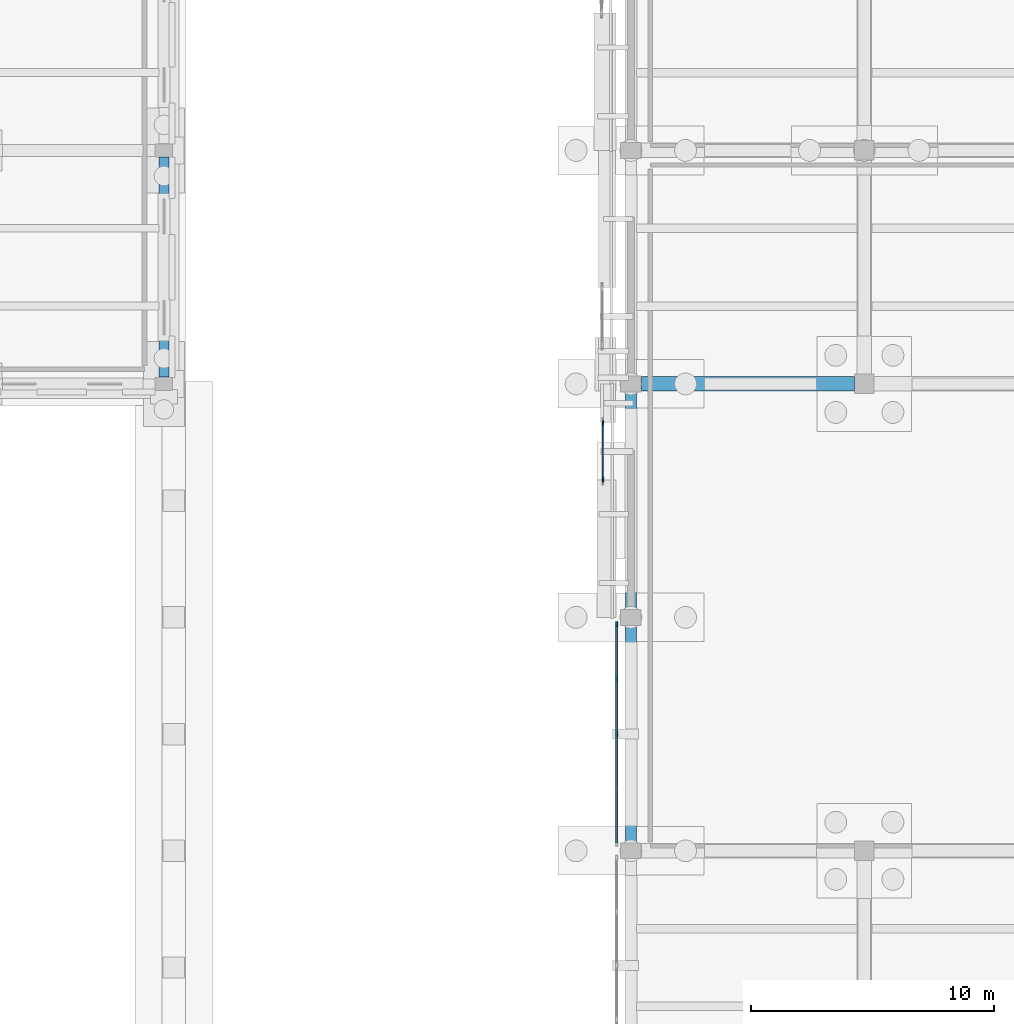
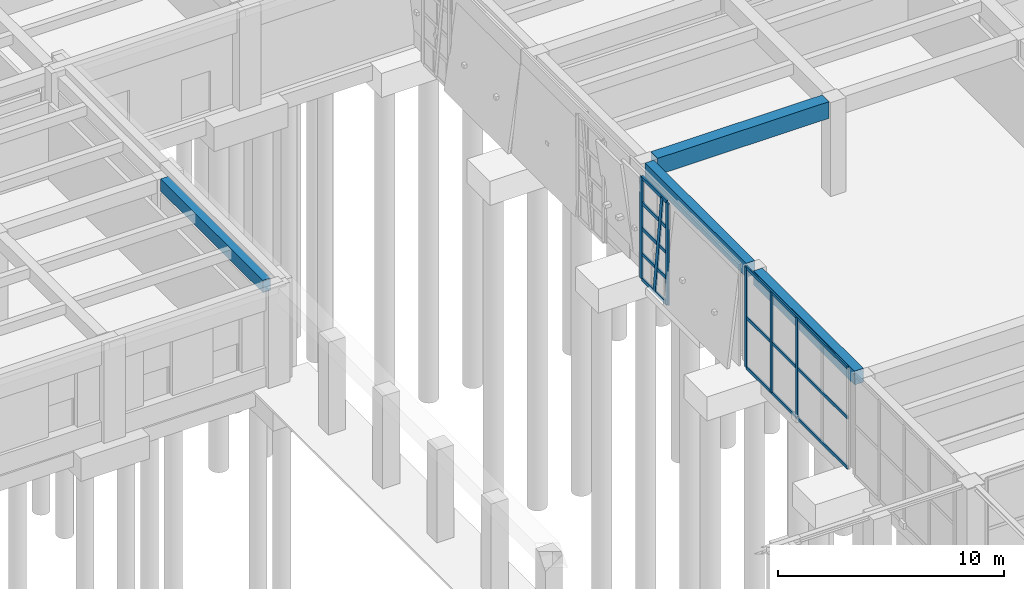
# One storey, part 14 of 51: 14 members, 4 beams, 2 elements without a shape of their own.
"""IFC4 building model written with IfcOpenShell, lengths in metres."""

from ifc_helpers import new_model, si_unit, direction, frame, origin, origin_2d, place, context, subcontext, project, spatial, rectangle, extrude, material, layer, layer_set, material_profile, profile_set, type_object, element, aggregate, save


model = new_model("IFC4")

# Units and contexts
model_context = context("Model", 3, precision=1e-05, world=origin(), true_north=direction((0.0, 1.0)))
body_context = subcontext(model_context, "Body", "Model", "MODEL_VIEW")
ifc_project = project(units=[si_unit("LENGTHUNIT", "METRE"), si_unit("AREAUNIT", "SQUARE_METRE"), si_unit("VOLUMEUNIT", "CUBIC_METRE"), si_unit("PLANEANGLEUNIT", "RADIAN"), si_unit("MASSUNIT", "GRAM", prefix="KILO")], contexts=[model_context])

# Site, building, storey
site_placement = place(None, origin())
site = spatial("IfcSite", under=ifc_project, at=site_placement, CompositionType="ELEMENT")
building_placement = place(site_placement, origin())
building = spatial("IfcBuilding", under=site, at=building_placement, Name="Bempovik Park Faculty of Sciences", CompositionType="ELEMENT")
storey_placement = place(building_placement, origin())
storey = spatial("IfcBuildingStorey", under=building, at=storey_placement, Name="L00", CompositionType="ELEMENT", Elevation=0.0)

# Beams
ifc_material_1 = material(Name="Concrete C35/45", Category="concrete")
ifc_material_profile_1 = material_profile(ifc_material_1, rectangle(XDim=0.39990234375, YDim=0.659912109375, at=origin_2d()), Name="RC 400x660")
ifc_profile_set_1 = profile_set([ifc_material_profile_1], Name="Concrete C35/45")
beam_type_1 = type_object("IfcBeamType", Name="B-097 RC 400x660", PredefinedType="SPANDREL", material=ifc_profile_set_1)
beam_1_placement = place(storey_placement, frame((40.800048828125, 48.8759765625, 4.75), z_axis=(0.0, 1.0, 0.0), x_axis=(-1.0, 0.0, 0.0)))
element("IfcBeam", 1, at=beam_1_placement, inside=storey, type_object=beam_type_1, Name="L00 Beam Y (x=40.8, 48.6-58.2)", PredefinedType="SPANDREL", context=body_context, shape_type="SweptSolid", body=[
    extrude(rectangle(XDim=0.39990234375, YDim=0.659912109375, at=origin_2d()), origin(), (0.0, 0.0, 1.0), 9.048095703125),
])
ifc_material_2 = material(Name="Concrete C40/50", Category="concrete")
ifc_material_profile_2 = material_profile(ifc_material_2, rectangle(XDim=0.60009765625, YDim=0.89990234375, at=origin_2d()), Name="RC 600x900")
ifc_profile_set_2 = profile_set([ifc_material_profile_2], Name="Concrete C40/50")
beam_type_2 = type_object("IfcBeamType", Name="B-115 RC 600x900", PredefinedType="BEAM", material=ifc_profile_set_2)
beam_2_placement = place(storey_placement, frame((60.430908203125, 48.60009765625, 4.6298828125), z_axis=(1.0, 0.0, 0.0), x_axis=(0.0, 1.0, 0.0)))
element("IfcBeam", 2, at=beam_2_placement, inside=storey, type_object=beam_type_2, Name="L00 Beam X (60.0-69.6, y=48.6)", PredefinedType="BEAM", context=body_context, shape_type="SweptSolid", body=[
    extrude(rectangle(XDim=0.60009765625, YDim=0.89990234375, at=origin_2d()), origin(), (0.0, 0.0, 1.0), 8.76318359375),
])
ifc_material_profile_3 = material_profile(ifc_material_2, rectangle(XDim=0.449951171875, YDim=0.75, at=origin_2d()), Name="RC 450x750")
ifc_profile_set_3 = profile_set([ifc_material_profile_3], Name="Concrete C40/50")
beam_type_3 = type_object("IfcBeamType", Name="B-130 RC 450x750", PredefinedType="SPANDREL", material=ifc_profile_set_3)
for number, where, z_axis, x_axis, name in (
    (3, (60.0, 29.73095703125, 4.705078125), (0.0, 1.0, 0.0), (-1.0, 0.0, 0.0), "L00 Beam Y (x=60.0, 29.4-39.0)"),
    (4, (60.0, 39.3310546875, 4.705078125), (0.0, 1.0, 0.0), (-1.0, 0.0, 0.0), "L00 Beam Y (x=60.0, 39.0-48.6)"),
):
    element("IfcBeam", number, at=place(storey_placement, frame(where, z_axis=z_axis, x_axis=x_axis)), inside=storey, type_object=beam_type_3, Name=name, PredefinedType="SPANDREL", context=body_context, shape_type="SweptSolid", body=[
        extrude(rectangle(XDim=0.449951171875, YDim=0.75, at=origin_2d()), origin(), (0.0, 0.0, 1.0), 8.93798828125),
    ])

# Curtain wall, members
ifc_material_3 = material(Name="Tempered laminated low-E glass", Category="glass")
ifc_layer_1 = layer(ifc_material_3, 0.159912109375)
ifc_layer_set_1 = layer_set([ifc_layer_1], Name="Tempered laminated low-E glass")
curtain_wall_type_1 = type_object("IfcCurtainWallType", Name="CW-57 Curtain 7200x5100", PredefinedType="USERDEFINED", material=ifc_layer_set_1)
curtain_wall_1_placement = place(storey_placement, origin())
curtain_wall_1 = element("IfcCurtainWall", 5, at=curtain_wall_1_placement, inside=storey, type_object=curtain_wall_type_1, Name="L00 Recessed Entrance Foyer Curtain Wall (29.4-39.0)", ObjectType="UNITISED CURTAIN WALL", PredefinedType="USERDEFINED")
ifc_material_4 = material(Name="Anodised architectural bronze", Category="aluminium")
ifc_material_profile_4 = material_profile(ifc_material_4, rectangle(XDim=0.074951171875, YDim=0.199951171875, at=origin_2d()), Name="ALU-M 75x200")
ifc_profile_set_4 = profile_set([ifc_material_profile_4], Name="Anodised architectural bronze")
member_type_1 = type_object("IfcMemberType", Name="ML-17 ALU-M 75x200", PredefinedType="MULLION", material=ifc_profile_set_4)
member_1_placement = place(storey_placement, frame((59.419921875, 34.199951171875, 0.0), z_axis=(0.0, 0.0, 1.0), x_axis=(1.0, 0.0, 0.0)))
member_1 = element("IfcMember", 6, at=member_1_placement, type_object=member_type_1, Name="CW-FOY-L00-600-294 Mullion 2", PredefinedType="MULLION", context=body_context, shape_type="SweptSolid", body=[
    extrude(rectangle(XDim=0.074951171875, YDim=0.199951171875, at=origin_2d()), origin(), (0.0, 0.0, 1.0), 5.39990234375),
])
member_2_placement = place(storey_placement, frame((59.419921875, 36.45654296875, 0.0), z_axis=(0.0, 0.0, 1.0), x_axis=(1.0, 0.0, 0.0)))
member_2 = element("IfcMember", 7, at=member_2_placement, type_object=member_type_1, Name="CW-FOY-L00-600-294 Mullion 3", PredefinedType="MULLION", context=body_context, shape_type="SweptSolid", body=[
    extrude(rectangle(XDim=0.074951171875, YDim=0.199951171875, at=origin_2d()), origin(), (0.0, 0.0, 1.0), 5.39990234375),
])
member_3_placement = place(storey_placement, frame((59.419921875, 38.712890625, 0.0), z_axis=(0.0, 0.0, 1.0), x_axis=(1.0, 0.0, 0.0)))
member_3 = element("IfcMember", 8, at=member_3_placement, type_object=member_type_1, Name="CW-FOY-L00-600-294 Mullion 4", PredefinedType="MULLION", context=body_context, shape_type="SweptSolid", body=[
    extrude(rectangle(XDim=0.074951171875, YDim=0.199951171875, at=origin_2d()), origin(), (0.0, 0.0, 1.0), 5.39990234375),
])

ifc_layer_2 = layer(ifc_material_3, 0.159912109375)
ifc_layer_set_2 = layer_set([ifc_layer_2], Name="Tempered laminated low-E glass")
curtain_wall_type_2 = type_object("IfcCurtainWallType", Name="CW-59 Curtain 2400x4500", PredefinedType="USERDEFINED", material=ifc_layer_set_2)
curtain_wall_2_placement = place(storey_placement, origin())
curtain_wall_2 = element("IfcCurtainWall", 9, at=curtain_wall_2_placement, inside=storey, type_object=curtain_wall_type_2, Name="L00 Crystal Slantwise Light Fold (60.0,39.0)", ObjectType="UNITISED CURTAIN WALL", PredefinedType="USERDEFINED")
ifc_material_profile_5 = material_profile(ifc_material_4, rectangle(XDim=0.080078125, YDim=0.219970703125, at=origin_2d()), Name="ALU-M 80x220")
ifc_profile_set_5 = profile_set([ifc_material_profile_5], Name="Anodised architectural bronze")
member_type_2 = type_object("IfcMemberType", Name="ML-29 ALU-M 80x220", PredefinedType="MULLION", material=ifc_profile_set_5)
member_4_placement = place(storey_placement, frame((58.855712890625, 44.675048828125, -0.0400390625), z_axis=(0.0, 0.0, 1.0), x_axis=(1.0, 0.0, 0.0)))
member_4 = element("IfcMember", 10, at=member_4_placement, type_object=member_type_2, Name="CW-FOLD-L00-600-390 Mullion 0", PredefinedType="MULLION", context=body_context, shape_type="SweptSolid", body=[
    extrude(rectangle(XDim=0.080078125, YDim=0.219970703125, at=origin_2d()), origin(), (0.0, 0.0, 1.0), 5.47998046875),
])
member_5_placement = place(storey_placement, frame((58.855712890625, 45.824951171875, -0.0400390625), z_axis=(0.0, -0.123131390904, 0.992390377107), x_axis=(1.0, 0.0, 0.0)))
member_5 = element("IfcMember", 11, at=member_5_placement, type_object=member_type_2, Name="CW-FOLD-L00-600-390 Mullion 1", PredefinedType="MULLION", context=body_context, shape_type="SweptSolid", body=[
    extrude(rectangle(XDim=0.080078125, YDim=0.219970703125, at=origin_2d()), origin(), (0.0, 0.0, 1.0), 5.52197265625),
])
member_6_placement = place(storey_placement, frame((58.855712890625, 46.97509765625, -0.0400390625), z_axis=(0.0, 0.0, 1.0), x_axis=(1.0, 0.0, 0.0)))
member_6 = element("IfcMember", 12, at=member_6_placement, type_object=member_type_2, Name="CW-FOLD-L00-600-390 Mullion 2", PredefinedType="MULLION", context=body_context, shape_type="SweptSolid", body=[
    extrude(rectangle(XDim=0.080078125, YDim=0.219970703125, at=origin_2d()), origin(), (0.0, 0.0, 1.0), 5.47998046875),
])

# Member
ifc_material_profile_6 = material_profile(ifc_material_4, rectangle(XDim=0.074951171875, YDim=0.1650390625, at=origin_2d()), Name="ALU-T 75x165")
ifc_profile_set_6 = profile_set([ifc_material_profile_6], Name="Anodised architectural bronze")
member_type_3 = type_object("IfcMemberType", Name="TR-15 ALU-T 75x165", PredefinedType="USERDEFINED", material=ifc_profile_set_6)
member_7_placement = place(storey_placement, frame((59.419921875, 29.72705078125, 0.0), z_axis=(0.0, 1.0, 0.0), x_axis=(-1.0, 0.0, 0.0)))
member_7 = element("IfcMember", 13, at=member_7_placement, type_object=member_type_3, Name="CW-FOY-L00-600-294 Transom 0", ObjectType="TRANSOM", PredefinedType="USERDEFINED", context=body_context, shape_type="SweptSolid", body=[
    extrude(rectangle(XDim=0.074951171875, YDim=0.1650390625, at=origin_2d()), origin(), (0.0, 0.0, 1.0), 8.946044921875),
])

member_8_placement = place(storey_placement, frame((59.419921875, 29.72705078125, 2.699951171875), z_axis=(0.0, 1.0, 0.0), x_axis=(-1.0, 0.0, 0.0)))
member_8 = element("IfcMember", 14, at=member_8_placement, type_object=member_type_3, Name="CW-FOY-L00-600-294 Transom 1", ObjectType="TRANSOM", PredefinedType="USERDEFINED", context=body_context, shape_type="SweptSolid", body=[
    extrude(rectangle(XDim=0.074951171875, YDim=0.1650390625, at=origin_2d()), origin(), (0.0, 0.0, 1.0), 8.946044921875),
])

member_9_placement = place(storey_placement, frame((59.419921875, 29.72705078125, 5.39990234375), z_axis=(0.0, 1.0, 0.0), x_axis=(-1.0, 0.0, 0.0)))
member_9 = element("IfcMember", 15, at=member_9_placement, type_object=member_type_3, Name="CW-FOY-L00-600-294 Transom 2", ObjectType="TRANSOM", PredefinedType="USERDEFINED", context=body_context, shape_type="SweptSolid", body=[
    extrude(rectangle(XDim=0.074951171875, YDim=0.1650390625, at=origin_2d()), origin(), (0.0, 0.0, 1.0), 8.946044921875),
])

aggregate(curtain_wall_1, [member_1, member_2, member_3, member_7, member_8, member_9])

ifc_material_profile_7 = material_profile(ifc_material_4, rectangle(XDim=0.080078125, YDim=0.179931640625, at=origin_2d()), Name="ALU-T 80x180")
ifc_profile_set_7 = profile_set([ifc_material_profile_7], Name="Anodised architectural bronze")
member_type_4 = type_object("IfcMemberType", Name="TR-29 ALU-T 80x180", PredefinedType="USERDEFINED", material=ifc_profile_set_7)
member_10_placement = place(storey_placement, frame((58.855712890625, 44.715087890625, -0.0400390625), z_axis=(0.0, 1.0, 0.0), x_axis=(-1.0, 0.0, 0.0)))
member_10 = element("IfcMember", 16, at=member_10_placement, type_object=member_type_4, Name="CW-FOLD-L00-600-390 Transom 0", ObjectType="TRANSOM", PredefinedType="USERDEFINED", context=body_context, shape_type="SweptSolid", body=[
    extrude(rectangle(XDim=0.080078125, YDim=0.179931640625, at=origin_2d()), origin(), (0.0, 0.0, 1.0), 2.219970703125),
])

member_11_placement = place(storey_placement, frame((58.855712890625, 44.715087890625, 1.330078125), z_axis=(0.0, 1.0, 0.0), x_axis=(-1.0, 0.0, 0.0)))
member_11 = element("IfcMember", 17, at=member_11_placement, type_object=member_type_4, Name="CW-FOLD-L00-600-390 Transom 1", ObjectType="TRANSOM", PredefinedType="USERDEFINED", context=body_context, shape_type="SweptSolid", body=[
    extrude(rectangle(XDim=0.080078125, YDim=0.179931640625, at=origin_2d()), origin(), (0.0, 0.0, 1.0), 2.219970703125),
])

member_12_placement = place(storey_placement, frame((58.855712890625, 44.715087890625, 2.699951171875), z_axis=(0.0, 1.0, 0.0), x_axis=(-1.0, 0.0, 0.0)))
member_12 = element("IfcMember", 18, at=member_12_placement, type_object=member_type_4, Name="CW-FOLD-L00-600-390 Transom 2", ObjectType="TRANSOM", PredefinedType="USERDEFINED", context=body_context, shape_type="SweptSolid", body=[
    extrude(rectangle(XDim=0.080078125, YDim=0.179931640625, at=origin_2d()), origin(), (0.0, 0.0, 1.0), 2.219970703125),
])

member_13_placement = place(storey_placement, frame((58.855712890625, 44.715087890625, 4.070068359375), z_axis=(0.0, 1.0, 0.0), x_axis=(-1.0, 0.0, 0.0)))
member_13 = element("IfcMember", 19, at=member_13_placement, type_object=member_type_4, Name="CW-FOLD-L00-600-390 Transom 3", ObjectType="TRANSOM", PredefinedType="USERDEFINED", context=body_context, shape_type="SweptSolid", body=[
    extrude(rectangle(XDim=0.080078125, YDim=0.179931640625, at=origin_2d()), origin(), (0.0, 0.0, 1.0), 2.219970703125),
])

member_14_placement = place(storey_placement, frame((58.855712890625, 44.715087890625, 5.43994140625), z_axis=(0.0, 1.0, 0.0), x_axis=(-1.0, 0.0, 0.0)))
member_14 = element("IfcMember", 20, at=member_14_placement, type_object=member_type_4, Name="CW-FOLD-L00-600-390 Transom 4", ObjectType="TRANSOM", PredefinedType="USERDEFINED", context=body_context, shape_type="SweptSolid", body=[
    extrude(rectangle(XDim=0.080078125, YDim=0.179931640625, at=origin_2d()), origin(), (0.0, 0.0, 1.0), 2.219970703125),
])

aggregate(curtain_wall_2, [member_4, member_5, member_6, member_10, member_11, member_12, member_13, member_14])

save(model, "model.ifc")
